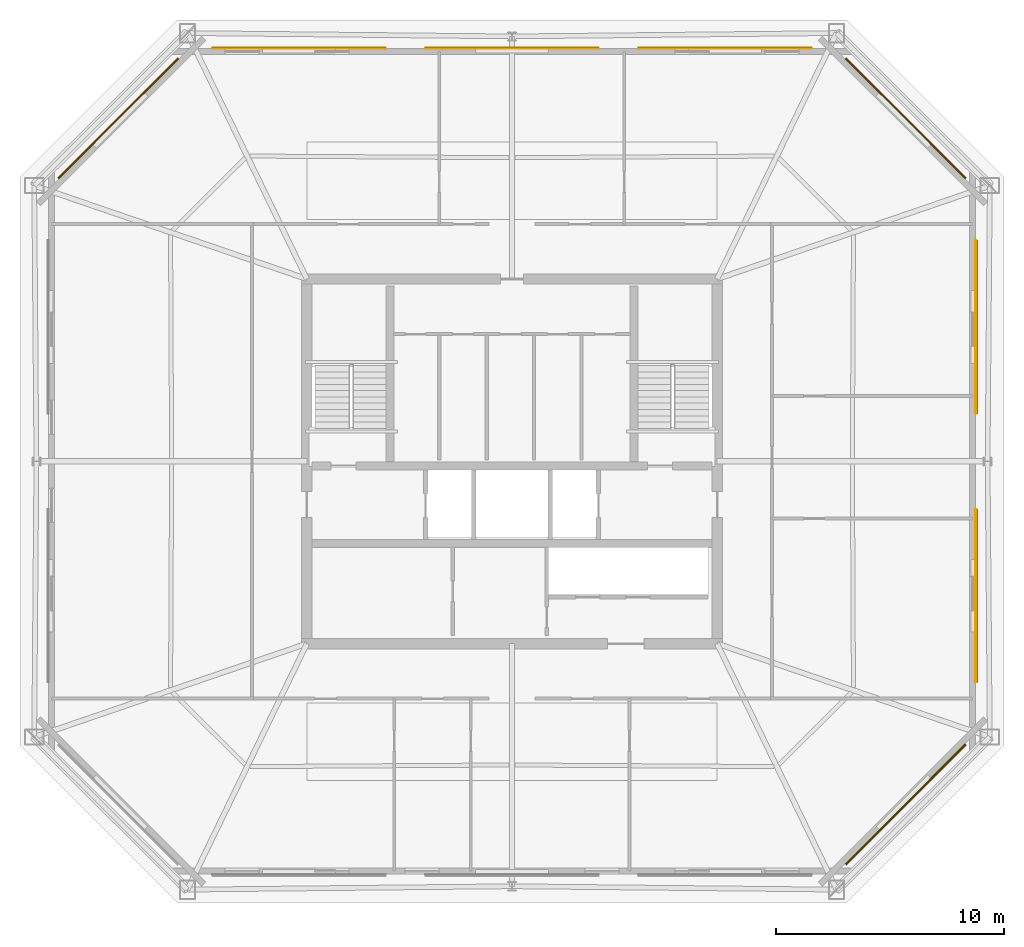
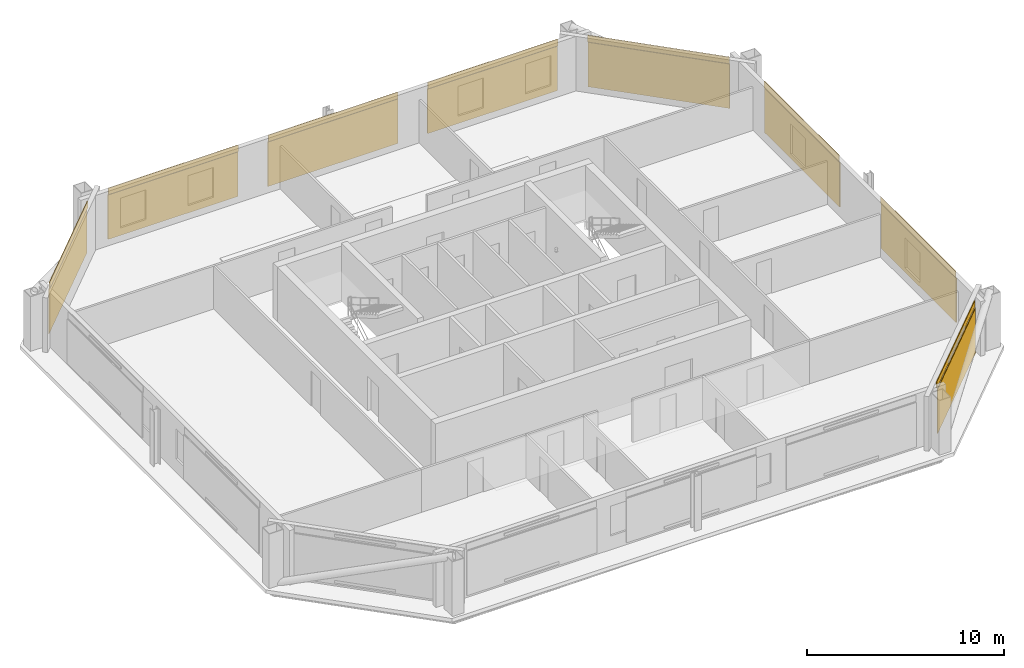
# One storey, part 7 of 7: 8 coverings, 8 shading devices.
"""IFC4 building model written with IfcOpenShell, lengths in metres."""

from ifc_helpers import new_model, si_unit, direction, frame, origin, origin_2d, place, context, subcontext, project, spatial, rectangle, extrude, material, layer, layer_set, type_object, element, save


model = new_model("IFC4")

# Units and contexts
model_context = context("Model", 3, precision=1e-05, world=origin(), true_north=direction((0.0, 1.0)))
body_context = subcontext(model_context, "Body", "Model", "MODEL_VIEW")
ifc_project = project(units=[si_unit("LENGTHUNIT", "METRE"), si_unit("AREAUNIT", "SQUARE_METRE"), si_unit("VOLUMEUNIT", "CUBIC_METRE"), si_unit("PLANEANGLEUNIT", "RADIAN"), si_unit("MASSUNIT", "GRAM", prefix="KILO")], contexts=[model_context])

# Site, building, storey
site_placement = place(None, origin())
site = spatial("IfcSite", under=ifc_project, at=site_placement, CompositionType="ELEMENT")
building_placement = place(site_placement, origin())
building = spatial("IfcBuilding", under=site, at=building_placement, Name="Caelvoria Tower", CompositionType="ELEMENT")
storey_placement = place(building_placement, frame((0.0, 0.0, 213.0)))
storey = spatial("IfcBuildingStorey", under=building, at=storey_placement, Name="L56", CompositionType="ELEMENT", Elevation=213.0)

# Coverings
ifc_material_1 = material(Name="Perforated Architectural Bronze Cladding Screen", Category="bronze")
ifc_layer_1 = layer(ifc_material_1, 0.0400390625, Name="Perforated Architectural Bronze Cladding Screen")
ifc_layer_set_1 = layer_set([ifc_layer_1], Name="Perforated Bronze Louvre Cladding Band 40 - Perforated Architectural Bronze Cladding Screen")
covering_type = type_object("IfcCoveringType", Name="Perforated Bronze Louvre Cladding Band 40", PredefinedType="CLADDING", material=ifc_layer_set_1)
covering_1_placement = place(storey_placement, frame((63.25830078125, 16.964599609375, 2.955078125), z_axis=(0.0, 0.0, 1.0), x_axis=(0.707106781187, 0.707106781187, 0.0)))
element("IfcCovering", 1, at=covering_1_placement, inside=storey, type_object=covering_type, Name="Perforated Bronze Screen Band L56-E1-00", PredefinedType="CLADDING", context=body_context, shape_type="SweptSolid", body=[
    extrude(rectangle(XDim=7.436767578125, YDim=0.0400390625, at=origin_2d()), origin(), (0.0, 0.0, 1.0), 0.39990234375),
])
for number, where, z_axis, x_axis, name in (
    (2, (66.350830078125, 26.102783203125, 2.955078125), (0.0, 0.0, 1.0), (0.0, 1.0, 0.0), "Perforated Bronze Screen Band L56-E2-00"),
    (3, (66.350830078125, 37.897216796875, 2.955078125), (0.0, 0.0, 1.0), (0.0, 1.0, 0.0), "Perforated Bronze Screen Band L56-E2-01"),
):
    element("IfcCovering", number, at=place(storey_placement, frame(where, z_axis=z_axis, x_axis=x_axis)), inside=storey, type_object=covering_type, Name=name, PredefinedType="CLADDING", context=body_context, shape_type="SweptSolid", body=[
        extrude(rectangle(XDim=7.60009765625, YDim=0.0400390625, at=origin_2d()), origin(), (0.0, 0.0, 1.0), 0.39990234375),
    ])
covering_2_placement = place(storey_placement, frame((63.25830078125, 47.035400390625, 2.955078125), z_axis=(0.0, 0.0, 1.0), x_axis=(-0.707106781187, 0.707106781187, 0.0)))
element("IfcCovering", 4, at=covering_2_placement, inside=storey, type_object=covering_type, Name="Perforated Bronze Screen Band L56-E3-00", PredefinedType="CLADDING", context=body_context, shape_type="SweptSolid", body=[
    extrude(rectangle(XDim=7.436767578125, YDim=0.0400390625, at=origin_2d()), origin(), (0.0, 0.0, 1.0), 0.39990234375),
])
for number, where, z_axis, x_axis, name in (
    (5, (55.344970703125, 50.128173828125, 2.955078125), (0.0, 0.0, 1.0), (-1.0, 0.0, 0.0), "Perforated Bronze Screen Band L56-E4-00"),
    (6, (46.0, 50.128173828125, 2.955078125), (0.0, 0.0, 1.0), (-1.0, 0.0, 0.0), "Perforated Bronze Screen Band L56-E4-01"),
    (7, (36.655029296875, 50.128173828125, 2.955078125), (0.0, 0.0, 1.0), (-1.0, 0.0, 0.0), "Perforated Bronze Screen Band L56-E4-02"),
):
    element("IfcCovering", number, at=place(storey_placement, frame(where, z_axis=z_axis, x_axis=x_axis)), inside=storey, type_object=covering_type, Name=name, PredefinedType="CLADDING", context=body_context, shape_type="SweptSolid", body=[
        extrude(rectangle(XDim=7.60009765625, YDim=0.0400390625, at=origin_2d()), origin(), (0.0, 0.0, 1.0), 0.39990234375),
    ])
covering_3_placement = place(storey_placement, frame((28.74169921875, 47.035400390625, 2.955078125), z_axis=(0.0, 0.0, 1.0), x_axis=(-0.707106781187, -0.707106781187, 0.0)))
element("IfcCovering", 8, at=covering_3_placement, inside=storey, type_object=covering_type, Name="Perforated Bronze Screen Band L56-E5-00", PredefinedType="CLADDING", context=body_context, shape_type="SweptSolid", body=[
    extrude(rectangle(XDim=7.436767578125, YDim=0.0400390625, at=origin_2d()), origin(), (0.0, 0.0, 1.0), 0.39990234375),
])

# Shading devices
ifc_material_2 = material(Name="Perforated Architectural Bronze Alloy Panel", Category="bronze")
ifc_layer_2 = layer(ifc_material_2, 0.044921875, Name="Perforated Architectural Bronze Alloy Panel")
ifc_layer_set_2 = layer_set([ifc_layer_2], Name="Perforated Bronze Solar Screen Panel SCREEN - Perforated Architectural Bronze Alloy Panel")
shading_device_type = type_object("IfcShadingDeviceType", Name="Perforated Bronze Solar Screen Panel SCREEN", PredefinedType="USERDEFINED", material=ifc_layer_set_2)
shading_device_1_placement = place(storey_placement, frame((63.28857421875, 16.93408203125, 0.159912109375), z_axis=(0.0, 0.0, 1.0), x_axis=(0.707106781187, 0.707106781187, 0.0)))
element("IfcShadingDevice", 9, at=shading_device_1_placement, inside=storey, type_object=shading_device_type, Name="Perforated Bronze Solar Screen L56-E1-00", ObjectType="SCREEN", PredefinedType="USERDEFINED", context=body_context, shape_type="SweptSolid", body=[
    extrude(rectangle(XDim=7.436767578125, YDim=0.044921875, at=origin_2d()), origin(), (0.0, 0.0, 1.0), 2.75),
])
for number, where, z_axis, x_axis, name in (
    (10, (66.393798828125, 26.102783203125, 0.159912109375), (0.0, 0.0, 1.0), (0.0, 1.0, 0.0), "Perforated Bronze Solar Screen L56-E2-00"),
    (11, (66.393798828125, 37.897216796875, 0.159912109375), (0.0, 0.0, 1.0), (0.0, 1.0, 0.0), "Perforated Bronze Solar Screen L56-E2-01"),
):
    element("IfcShadingDevice", number, at=place(storey_placement, frame(where, z_axis=z_axis, x_axis=x_axis)), inside=storey, type_object=shading_device_type, Name=name, ObjectType="SCREEN", PredefinedType="USERDEFINED", context=body_context, shape_type="SweptSolid", body=[
        extrude(rectangle(XDim=7.60009765625, YDim=0.044921875, at=origin_2d()), origin(), (0.0, 0.0, 1.0), 2.75),
    ])
shading_device_2_placement = place(storey_placement, frame((63.28857421875, 47.06591796875, 0.159912109375), z_axis=(0.0, 0.0, 1.0), x_axis=(-0.707106781187, 0.707106781187, 0.0)))
element("IfcShadingDevice", 12, at=shading_device_2_placement, inside=storey, type_object=shading_device_type, Name="Perforated Bronze Solar Screen L56-E3-00", ObjectType="SCREEN", PredefinedType="USERDEFINED", context=body_context, shape_type="SweptSolid", body=[
    extrude(rectangle(XDim=7.436767578125, YDim=0.044921875, at=origin_2d()), origin(), (0.0, 0.0, 1.0), 2.75),
])
for number, where, z_axis, x_axis, name in (
    (13, (55.344970703125, 50.171142578125, 0.159912109375), (0.0, 0.0, 1.0), (-1.0, 0.0, 0.0), "Perforated Bronze Solar Screen L56-E4-00"),
    (14, (46.0, 50.171142578125, 0.159912109375), (0.0, 0.0, 1.0), (-1.0, 0.0, 0.0), "Perforated Bronze Solar Screen L56-E4-01"),
    (15, (36.655029296875, 50.171142578125, 0.159912109375), (0.0, 0.0, 1.0), (-1.0, 0.0, 0.0), "Perforated Bronze Solar Screen L56-E4-02"),
):
    element("IfcShadingDevice", number, at=place(storey_placement, frame(where, z_axis=z_axis, x_axis=x_axis)), inside=storey, type_object=shading_device_type, Name=name, ObjectType="SCREEN", PredefinedType="USERDEFINED", context=body_context, shape_type="SweptSolid", body=[
        extrude(rectangle(XDim=7.60009765625, YDim=0.044921875, at=origin_2d()), origin(), (0.0, 0.0, 1.0), 2.75),
    ])
shading_device_3_placement = place(storey_placement, frame((28.71142578125, 47.06591796875, 0.159912109375), z_axis=(0.0, 0.0, 1.0), x_axis=(-0.707106781187, -0.707106781187, 0.0)))
element("IfcShadingDevice", 16, at=shading_device_3_placement, inside=storey, type_object=shading_device_type, Name="Perforated Bronze Solar Screen L56-E5-00", ObjectType="SCREEN", PredefinedType="USERDEFINED", context=body_context, shape_type="SweptSolid", body=[
    extrude(rectangle(XDim=7.436767578125, YDim=0.044921875, at=origin_2d()), origin(), (0.0, 0.0, 1.0), 2.75),
])

save(model, "model.ifc")
